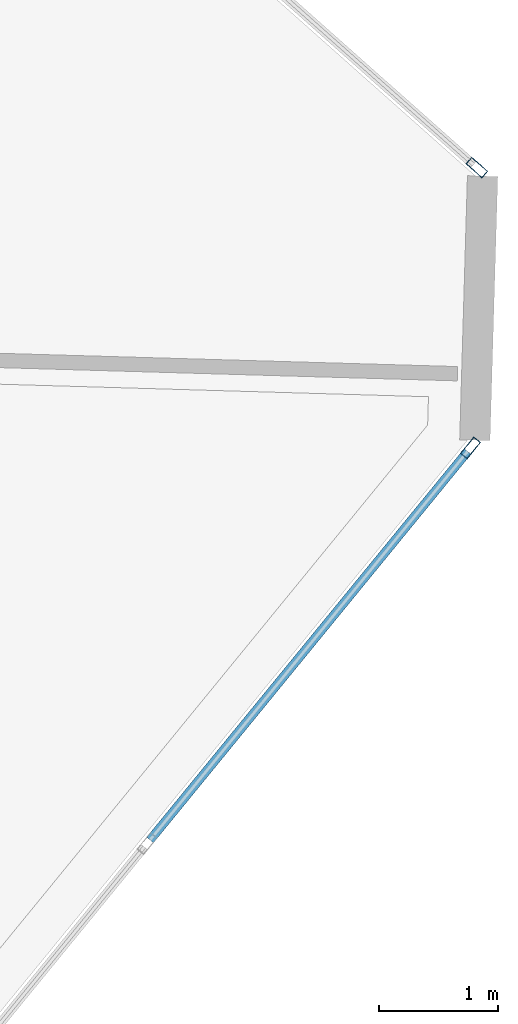
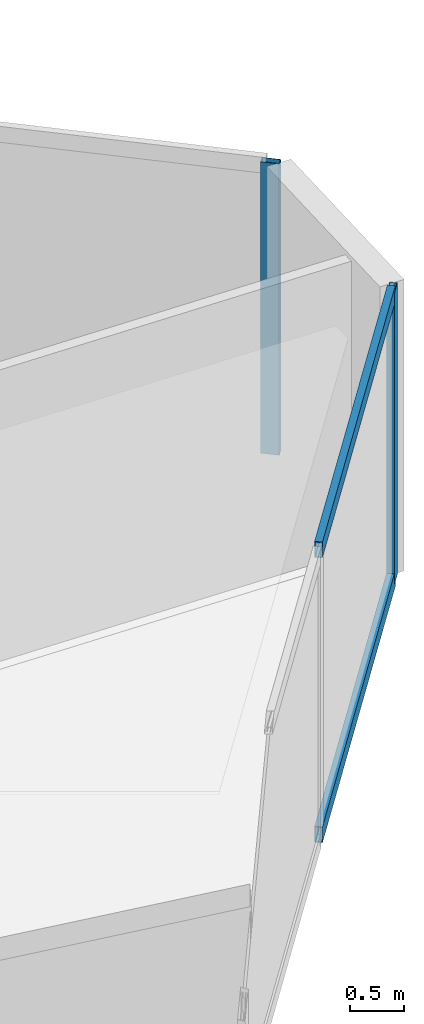
# One storey, part 13 of 24: 4 members, 2 elements without a shape of their own.
"""IFC4 building model written with IfcOpenShell, lengths in metres."""

from ifc_helpers import new_model, si_unit, direction, frame, origin, origin_2d, place, context, subcontext, project, spatial, hollow_rectangle, extrude, source, transform, mapped, material, layer, layer_set, material_profile, profile_set, type_object, type_shapes, element, aggregate, save


model = new_model("IFC4")

# Units and contexts
model_context = context("Model", 3, precision=1e-05, world=origin(), true_north=direction((0.0, 1.0)))
body_context = subcontext(model_context, "Body", "Model", "MODEL_VIEW")
ifc_project = project(units=[si_unit("LENGTHUNIT", "METRE"), si_unit("AREAUNIT", "SQUARE_METRE"), si_unit("VOLUMEUNIT", "CUBIC_METRE"), si_unit("PLANEANGLEUNIT", "RADIAN"), si_unit("MASSUNIT", "GRAM", prefix="KILO")], contexts=[model_context])

# Site, building, storey
site_placement = place(None, origin())
site = spatial("IfcSite", under=ifc_project, at=site_placement, CompositionType="ELEMENT")
building_placement = place(site_placement, origin())
building = spatial("IfcBuilding", under=site, at=building_placement, Name="Talar Marvaseh", CompositionType="ELEMENT")
storey_placement = place(building_placement, frame((0.0, 0.0, 111.0)))
storey = spatial("IfcBuildingStorey", under=building, at=storey_placement, Name="L28", CompositionType="ELEMENT", Elevation=111.0)

# Curtain wall, member
ifc_material = material(Name="Architectural Aluminium", Category="aluminium")
ifc_layer = layer(ifc_material, 0.199951171875)
ifc_layer_set = layer_set([ifc_layer], Name="Architectural Aluminium")
curtain_wall_type = type_object("IfcCurtainWallType", Name="Unitised Acoustic Library Curtain Wall Z2", PredefinedType="NOTDEFINED", material=ifc_layer_set)
curtain_wall_1_placement = place(storey_placement, origin())
curtain_wall_1 = element("IfcCurtainWall", 1, at=curtain_wall_1_placement, inside=storey, type_object=curtain_wall_type, Name="L28 Unitised Acoustic Library Curtain Wall Z2", PredefinedType="NOTDEFINED")
ifc_material_profile_1 = material_profile(ifc_material, hollow_rectangle(XDim=0.074951171875, YDim=0.179931640625, WallThickness=0.0048828125, at=origin_2d()), Name="RHS180x75x5")
ifc_profile_set_1 = profile_set([ifc_material_profile_1], Name="Architectural Aluminium")
member_type_1 = type_object("IfcMemberType", Name="Unitised Curtain Wall Standard Mullion RHS180x75x5", PredefinedType="MULLION", material=ifc_profile_set_1)
shared_shape_1 = source(origin(), body_context, "Body", "SweptSolid", [
    extrude(hollow_rectangle(XDim=0.074951171875, YDim=0.179931640625, WallThickness=0.0048828125, at=origin_2d()), origin(), (0.0, 0.0, 1.0), 3.31005859375),
])
type_shapes(member_type_1, [shared_shape_1])
member_1_placement = place(storey_placement, frame((48.7734375, 33.368408203125, 0.0), z_axis=(0.0, 0.0, 1.0), x_axis=(0.663876651499, 0.747842090012, 0.0)))
member_1 = element("IfcMember", 2, at=member_1_placement, type_object=member_type_1, Name="CW-Z2 mullion 5", PredefinedType="MULLION", context=body_context, shape_type="MappedRepresentation", body=[
    mapped(shared_shape_1, transform((0.0, 0.0, 0.0), x_axis=(1.0, 0.0, 0.0), y_axis=(0.0, 1.0, 0.0), z_axis=(0.0, 0.0, 1.0), scale=1.0)),
])
aggregate(curtain_wall_1, [member_1])

# Curtain wall, members
curtain_wall_2_placement = place(storey_placement, origin())
curtain_wall_2 = element("IfcCurtainWall", 3, at=curtain_wall_2_placement, inside=storey, type_object=curtain_wall_type, Name="L28 Unitised Acoustic Library Curtain Wall Z2", PredefinedType="NOTDEFINED")
member_2_placement = place(storey_placement, frame((48.7197265625, 31.01611328125, 0.0), z_axis=(0.0, 0.0, 1.0), x_axis=(0.774295813589, -0.632823824661, 0.0)))
member_2 = element("IfcMember", 4, at=member_2_placement, type_object=member_type_1, Name="CW-Z2 mullion 1", PredefinedType="MULLION", context=body_context, shape_type="MappedRepresentation", body=[
    mapped(shared_shape_1, transform((0.0, 0.0, 0.0), x_axis=(1.0, 0.0, 0.0), y_axis=(0.0, 1.0, 0.0), z_axis=(0.0, 0.0, 1.0), scale=1.0)),
])
ifc_material_profile_2 = material_profile(ifc_material, hollow_rectangle(XDim=0.074951171875, YDim=0.179931640625, WallThickness=0.0048828125, at=origin_2d()), Name="RHS180x75x5")
ifc_profile_set_2 = profile_set([ifc_material_profile_2], Name="Architectural Aluminium")
member_type_2 = type_object("IfcMemberType", Name="Unitised Curtain Wall Transom RHS180x75x5", PredefinedType="USERDEFINED", material=ifc_profile_set_2)
shared_shape_2 = source(origin(), body_context, "Body", "SweptSolid", [
    extrude(hollow_rectangle(XDim=0.074951171875, YDim=0.179931640625, WallThickness=0.0048828125, at=origin_2d()), origin(), (0.0, 0.0, 1.0), 4.211181640625),
])
type_shapes(member_type_2, [shared_shape_2])
member_3_placement = place(storey_placement, frame((48.696044921875, 30.987060546875, 0.03759765625), z_axis=(-0.632833614697, -0.774287812192, 0.0), x_axis=(0.774287812192, -0.632833614697, 0.0)))
member_3 = element("IfcMember", 5, at=member_3_placement, type_object=member_type_2, Name="CW-Z2 transom 1.1", ObjectType="TRANSOM", PredefinedType="USERDEFINED", context=body_context, shape_type="MappedRepresentation", body=[
    mapped(shared_shape_2, transform((0.0, 0.0, 0.0), x_axis=(1.0, 0.0, 0.0), y_axis=(0.0, 1.0, 0.0), z_axis=(0.0, 0.0, 1.0), scale=1.0)),
])
member_4_placement = place(storey_placement, frame((48.696044921875, 30.987060546875, 3.2724609375), z_axis=(-0.632833614697, -0.774287812192, 0.0), x_axis=(0.774287812192, -0.632833614697, 0.0)))
member_4 = element("IfcMember", 6, at=member_4_placement, type_object=member_type_2, Name="CW-Z2 transom 1.2", ObjectType="TRANSOM", PredefinedType="USERDEFINED", context=body_context, shape_type="MappedRepresentation", body=[
    mapped(shared_shape_2, transform((0.0, 0.0, 0.0), x_axis=(1.0, 0.0, 0.0), y_axis=(0.0, 1.0, 0.0), z_axis=(0.0, 0.0, 1.0), scale=1.0)),
])
aggregate(curtain_wall_2, [member_2, member_3, member_4])

save(model, "model.ifc")
